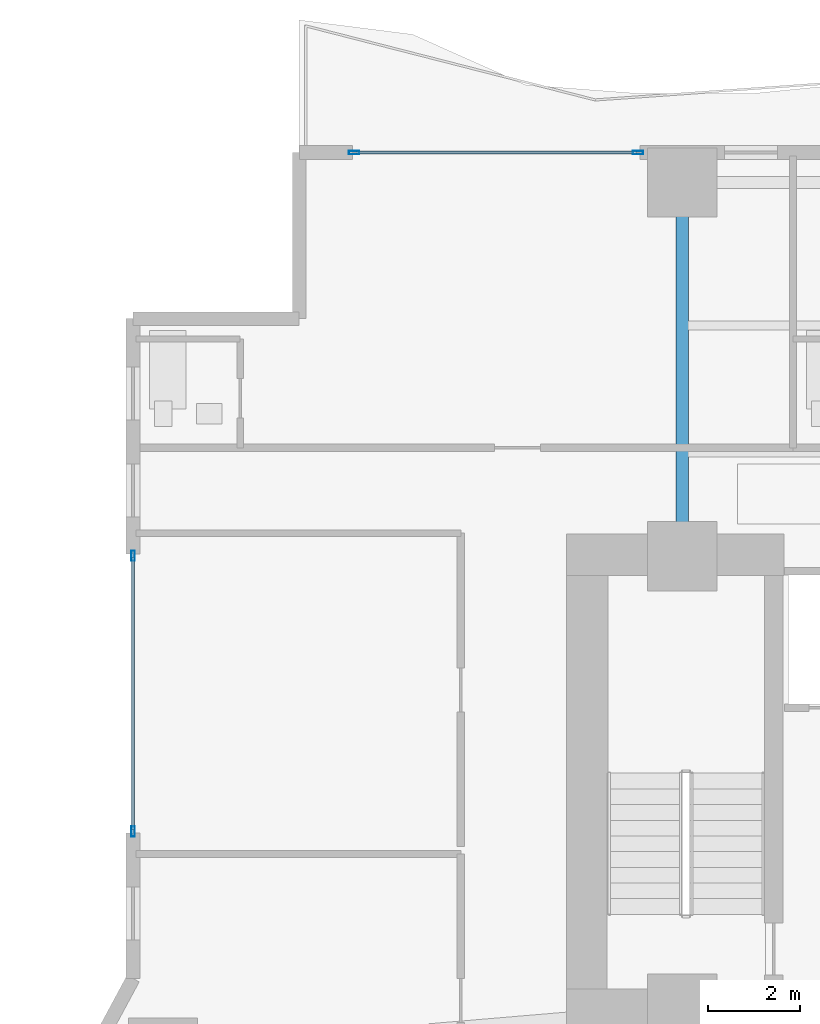
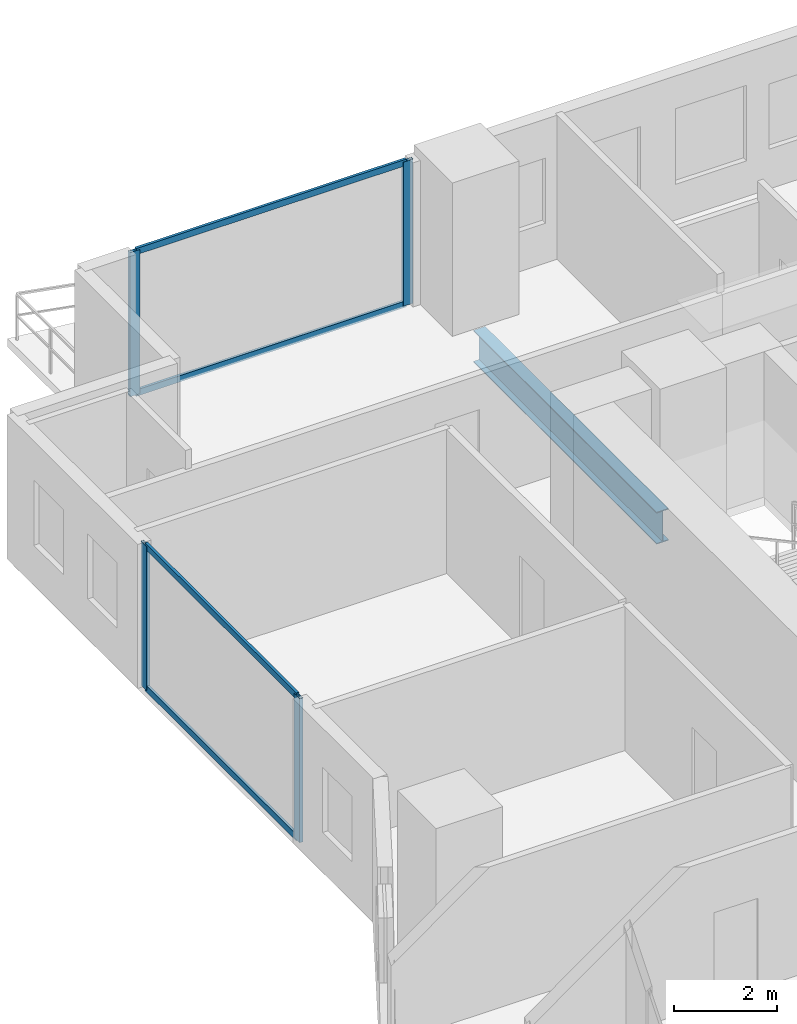
# One storey, part 13 of 28: 8 members, 1 beam, 2 elements without a shape of their own.
"""IFC4 building model written with IfcOpenShell, lengths in metres."""

from ifc_helpers import new_model, si_unit, direction, frame, origin, origin_2d, place, context, subcontext, project, spatial, hollow_rectangle, i_section, extrude, material, layer, layer_set, material_profile, profile_set, type_object, element, aggregate, save


model = new_model("IFC4")

# Units and contexts
model_context = context("Model", 3, precision=1e-05, world=origin(), true_north=direction((0.0, 1.0)))
body_context = subcontext(model_context, "Body", "Model", "MODEL_VIEW")
ifc_project = project(units=[si_unit("LENGTHUNIT", "METRE"), si_unit("AREAUNIT", "SQUARE_METRE"), si_unit("VOLUMEUNIT", "CUBIC_METRE"), si_unit("PLANEANGLEUNIT", "RADIAN"), si_unit("MASSUNIT", "GRAM", prefix="KILO")], contexts=[model_context])

# Site, building, storey
site_placement = place(None, origin())
site = spatial("IfcSite", under=ifc_project, at=site_placement, CompositionType="ELEMENT")
building_placement = place(site_placement, origin())
building = spatial("IfcBuilding", under=site, at=building_placement, Name="Zuhayl Quay Hotel", CompositionType="ELEMENT")
storey_placement = place(building_placement, frame((0.0, 0.0, 78.699951171875)))
storey = spatial("IfcBuildingStorey", under=building, at=storey_placement, Name="L19", CompositionType="ELEMENT", Elevation=78.699951171875)

# Beam
ifc_material_1 = material(Name="Steel ASTM A992 Grade 50", Category="steel")
ifc_material_profile_1 = material_profile(ifc_material_1, i_section(OverallWidth=0.26708984375, OverallDepth=0.761962890625, WebThickness=0.014404296875, FlangeThickness=0.021484375, at=origin_2d()), Name="W30X116")
ifc_profile_set_1 = profile_set([ifc_material_profile_1], Name="Steel ASTM A992 Grade 50")
beam_type = type_object("IfcBeamType", Name="BM_B1_W30X116", PredefinedType="BEAM", material=ifc_profile_set_1)
beam_placement = place(storey_placement, frame((-13.800048828125, 14.800048828125, -0.600830078125), z_axis=(0.0, 1.0, 0.0), x_axis=(-1.0, 0.0, 0.0)))
element("IfcBeam", 1, at=beam_placement, inside=storey, type_object=beam_type, Name="L19 Floor Beam FG_N_L19_1", PredefinedType="BEAM", context=body_context, shape_type="SweptSolid", body=[
    extrude(i_section(OverallWidth=0.26708984375, OverallDepth=0.761962890625, WebThickness=0.014404296875, FlangeThickness=0.021484375, at=origin_2d()), origin(), (0.0, 0.0, 1.0), 7.14990234375),
])

# Curtain wall, members
ifc_material_2 = material(Name="Anodised Aluminium 6063-T6", Category="aluminium")
ifc_layer = layer(ifc_material_2, 0.18994140625, Name="Anodised Aluminium 6063-T6", Category="aluminium")
ifc_layer_set = layer_set([ifc_layer], Name="Anodised Aluminium 6063-T6")
curtain_wall_type = type_object("IfcCurtainWallType", Name="CW_SYS_Z1", PredefinedType="USERDEFINED", material=ifc_layer_set)
curtain_wall_1_placement = place(storey_placement, origin())
curtain_wall_1 = element("IfcCurtainWall", 2, at=curtain_wall_1_placement, inside=storey, type_object=curtain_wall_type, Name="L19 Curtain Wall ENV_L19_E05_CW1", ObjectType="UNITISED CURTAIN WALL", PredefinedType="USERDEFINED")
ifc_material_3 = material(Name="Black-anodised aluminium 6063-T6", Category="aluminium")
ifc_material_profile_2 = material_profile(ifc_material_3, hollow_rectangle(XDim=0.074951171875, YDim=0.219970703125, WallThickness=0.00390625, at=origin_2d()), Name="ALU220X75")
ifc_profile_set_2 = profile_set([ifc_material_profile_2], Name="Black-anodised aluminium 6063-T6")
member_type_1 = type_object("IfcMemberType", Name="MB_CW_MUL_220", PredefinedType="MULLION", material=ifc_profile_set_2)
member_1_placement = place(storey_placement, frame((-25.699951171875, 8.387451171875, 0.0), z_axis=(0.0, 0.0, 1.0), x_axis=(-1.0, 0.0, 0.0)))
member_1 = element("IfcMember", 3, at=member_1_placement, type_object=member_type_1, Name="CW-Z1 mullion 1", PredefinedType="MULLION", context=body_context, shape_type="SweptSolid", body=[
    extrude(hollow_rectangle(XDim=0.074951171875, YDim=0.219970703125, WallThickness=0.00390625, at=origin_2d()), origin(), (0.0, 0.0, 1.0), 3.429931640625),
])
member_2_placement = place(storey_placement, frame((-25.699951171875, 14.362548828125, 0.0), z_axis=(0.0, 0.0, 1.0), x_axis=(-1.0, 0.0, 0.0)))
member_2 = element("IfcMember", 4, at=member_2_placement, type_object=member_type_1, Name="CW-Z1 mullion 2", PredefinedType="MULLION", context=body_context, shape_type="SweptSolid", body=[
    extrude(hollow_rectangle(XDim=0.074951171875, YDim=0.219970703125, WallThickness=0.00390625, at=origin_2d()), origin(), (0.0, 0.0, 1.0), 3.429931640625),
])

curtain_wall_2_placement = place(storey_placement, origin())
curtain_wall_2 = element("IfcCurtainWall", 5, at=curtain_wall_2_placement, inside=storey, type_object=curtain_wall_type, Name="L19 Curtain Wall ENV_L19_N_CW1", ObjectType="UNITISED CURTAIN WALL", PredefinedType="USERDEFINED")
member_3_placement = place(storey_placement, frame((-20.91259765625, 23.10009765625, 0.0), z_axis=(0.0, 0.0, 1.0), x_axis=(0.0, 1.0, 0.0)))
member_3 = element("IfcMember", 6, at=member_3_placement, type_object=member_type_1, Name="CW-Z1 mullion 1", PredefinedType="MULLION", context=body_context, shape_type="SweptSolid", body=[
    extrude(hollow_rectangle(XDim=0.074951171875, YDim=0.219970703125, WallThickness=0.00390625, at=origin_2d()), origin(), (0.0, 0.0, 1.0), 3.429931640625),
])
member_4_placement = place(storey_placement, frame((-14.757568359375, 23.10009765625, 0.0), z_axis=(0.0, 0.0, 1.0), x_axis=(0.0, 1.0, 0.0)))
member_4 = element("IfcMember", 7, at=member_4_placement, type_object=member_type_1, Name="CW-Z1 mullion 2", PredefinedType="MULLION", context=body_context, shape_type="SweptSolid", body=[
    extrude(hollow_rectangle(XDim=0.074951171875, YDim=0.219970703125, WallThickness=0.00390625, at=origin_2d()), origin(), (0.0, 0.0, 1.0), 3.429931640625),
])

# Member
ifc_material_profile_3 = material_profile(ifc_material_3, hollow_rectangle(XDim=0.06005859375, YDim=0.14990234375, WallThickness=0.00341796875, at=origin_2d()), Name="ALU150X60")
ifc_profile_set_3 = profile_set([ifc_material_profile_3], Name="Black-anodised aluminium 6063-T6")
member_type_2 = type_object("IfcMemberType", Name="MB_CW_TRN_150", PredefinedType="USERDEFINED", material=ifc_profile_set_3)
member_5_placement = place(storey_placement, frame((-25.699951171875, 8.425048828125, 0.030029296875), z_axis=(0.0, 1.0, 0.0), x_axis=(-1.0, 0.0, 0.0)))
member_5 = element("IfcMember", 8, at=member_5_placement, type_object=member_type_2, Name="CW-Z1 transom 1.1", ObjectType="TRANSOM", PredefinedType="USERDEFINED", context=body_context, shape_type="SweptSolid", body=[
    extrude(hollow_rectangle(XDim=0.06005859375, YDim=0.14990234375, WallThickness=0.00341796875, at=origin_2d()), origin(), (0.0, 0.0, 1.0), 5.89990234375),
])

member_6_placement = place(storey_placement, frame((-25.699951171875, 8.425048828125, 3.400146484375), z_axis=(0.0, 1.0, 0.0), x_axis=(-1.0, 0.0, 0.0)))
member_6 = element("IfcMember", 9, at=member_6_placement, type_object=member_type_2, Name="CW-Z1 transom 1.2", ObjectType="TRANSOM", PredefinedType="USERDEFINED", context=body_context, shape_type="SweptSolid", body=[
    extrude(hollow_rectangle(XDim=0.06005859375, YDim=0.14990234375, WallThickness=0.00341796875, at=origin_2d()), origin(), (0.0, 0.0, 1.0), 5.89990234375),
])

aggregate(curtain_wall_1, [member_1, member_2, member_5, member_6])

member_7_placement = place(storey_placement, frame((-20.875, 23.10009765625, 0.030029296875), z_axis=(1.0, 0.0, 0.0), x_axis=(0.0, 1.0, 0.0)))
member_7 = element("IfcMember", 10, at=member_7_placement, type_object=member_type_2, Name="CW-Z1 transom 1.1", ObjectType="TRANSOM", PredefinedType="USERDEFINED", context=body_context, shape_type="SweptSolid", body=[
    extrude(hollow_rectangle(XDim=0.06005859375, YDim=0.14990234375, WallThickness=0.00341796875, at=origin_2d()), origin(), (0.0, 0.0, 1.0), 6.080078125),
])

member_8_placement = place(storey_placement, frame((-20.875, 23.10009765625, 3.400146484375), z_axis=(1.0, 0.0, 0.0), x_axis=(0.0, 1.0, 0.0)))
member_8 = element("IfcMember", 11, at=member_8_placement, type_object=member_type_2, Name="CW-Z1 transom 1.2", ObjectType="TRANSOM", PredefinedType="USERDEFINED", context=body_context, shape_type="SweptSolid", body=[
    extrude(hollow_rectangle(XDim=0.06005859375, YDim=0.14990234375, WallThickness=0.00341796875, at=origin_2d()), origin(), (0.0, 0.0, 1.0), 6.080078125),
])

aggregate(curtain_wall_2, [member_3, member_4, member_7, member_8])

save(model, "model.ifc")
